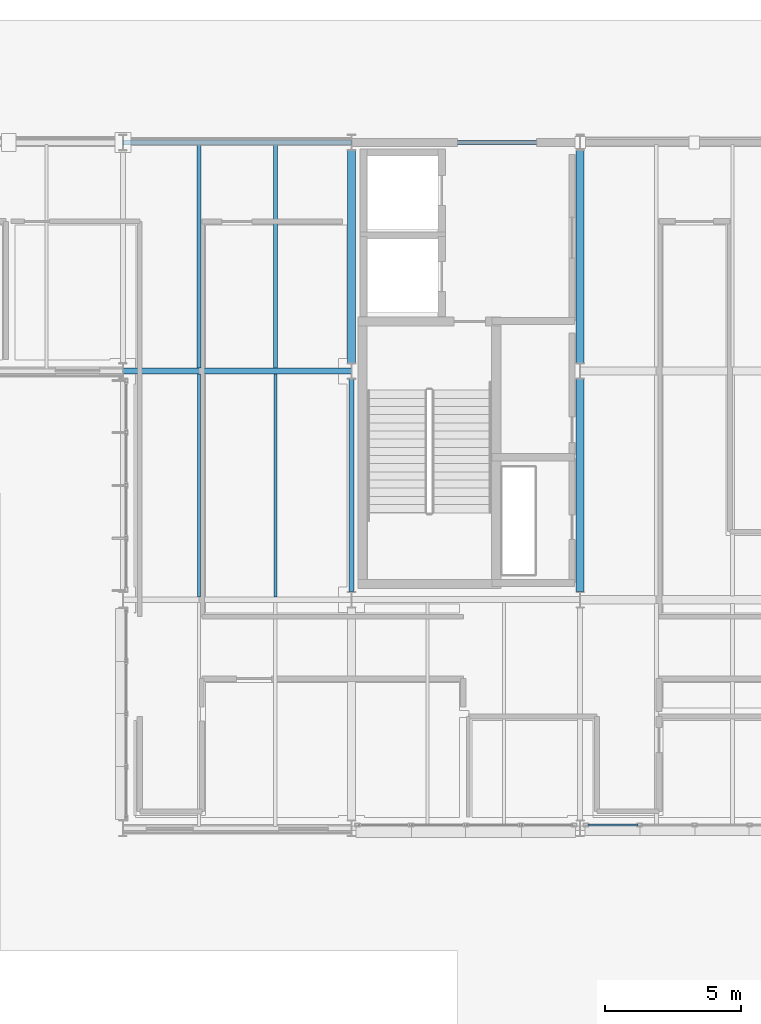
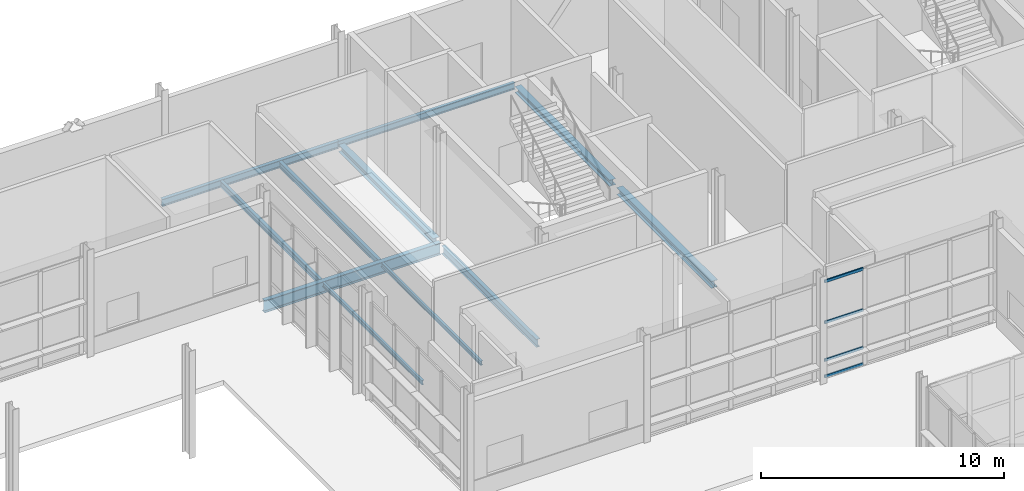
# One storey, part 66 of 124: 11 beams, 4 members, 1 element without a shape of its own.
"""IFC4 building model written with IfcOpenShell, lengths in metres."""

from ifc_helpers import new_model, si_unit, direction, frame, origin, origin_2d, place, context, subcontext, project, spatial, hollow_rectangle, i_section, extrude, material, material_profile, profile_set, type_object, element, aggregate, save


model = new_model("IFC4")

# Units and contexts
model_context = context("Model", 3, precision=1e-05, world=origin(), true_north=direction((0.0, 1.0)))
body_context = subcontext(model_context, "Body", "Model", "MODEL_VIEW")
ifc_project = project(units=[si_unit("LENGTHUNIT", "METRE"), si_unit("AREAUNIT", "SQUARE_METRE"), si_unit("VOLUMEUNIT", "CUBIC_METRE"), si_unit("PLANEANGLEUNIT", "RADIAN"), si_unit("MASSUNIT", "GRAM", prefix="KILO")], contexts=[model_context])

# Site, building, storey
site_placement = place(None, origin())
site = spatial("IfcSite", under=ifc_project, at=site_placement, CompositionType="ELEMENT")
building_placement = place(site_placement, origin())
building = spatial("IfcBuilding", under=site, at=building_placement, Name="Mersafa Astral City Hall", CompositionType="ELEMENT")
storey_placement = place(building_placement, origin())
storey = spatial("IfcBuildingStorey", under=building, at=storey_placement, Name="L00", CompositionType="ELEMENT", Elevation=0.0)

# Curtain wall, members
ifc_material_1 = material(Name="Anodised bronze aluminium framing", Category="aluminium")
curtain_wall_type = type_object("IfcCurtainWallType", Name="ENV-CW-2", PredefinedType="USERDEFINED", material=ifc_material_1)
curtain_wall_placement = place(storey_placement, origin())
curtain_wall = element("IfcCurtainWall", 1, at=curtain_wall_placement, inside=storey, type_object=curtain_wall_type, Name="L00 Unitised solar curtain wall 19", ObjectType="UNITISED CURTAIN WALL", PredefinedType="USERDEFINED")
ifc_material_profile_1 = material_profile(ifc_material_1, hollow_rectangle(XDim=0.06005859375, YDim=0.139892578125, WallThickness=0.00390625, at=origin_2d()), Name="RHS 60x140x4")
ifc_profile_set_1 = profile_set([ifc_material_profile_1], Name="Anodised bronze aluminium framing")
member_type = type_object("IfcMemberType", Name="ENV-CW-TRN-1", PredefinedType="USERDEFINED", material=ifc_profile_set_1)
member_1_placement = place(storey_placement, frame((159.882080078125, 100.919921875, 0.028076171875), z_axis=(1.0, 0.0, 0.0), x_axis=(0.0, 1.0, 0.0)))
member_1 = element("IfcMember", 2, at=member_1_placement, type_object=member_type, Name="CW-2 transom 1.1", ObjectType="TRANSOM", PredefinedType="USERDEFINED", context=body_context, shape_type="SweptSolid", body=[
    extrude(hollow_rectangle(XDim=0.06005859375, YDim=0.139892578125, WallThickness=0.00390625, at=origin_2d()), origin(), (0.0, 0.0, 1.0), 1.8388671875),
])
member_2_placement = place(storey_placement, frame((159.882080078125, 100.919921875, 0.85009765625), z_axis=(1.0, 0.0, 0.0), x_axis=(0.0, 1.0, 0.0)))
member_2 = element("IfcMember", 3, at=member_2_placement, type_object=member_type, Name="CW-2 transom 1.2", ObjectType="TRANSOM", PredefinedType="USERDEFINED", context=body_context, shape_type="SweptSolid", body=[
    extrude(hollow_rectangle(XDim=0.06005859375, YDim=0.139892578125, WallThickness=0.00390625, at=origin_2d()), origin(), (0.0, 0.0, 1.0), 1.8388671875),
])
member_3_placement = place(storey_placement, frame((159.882080078125, 100.919921875, 2.75), z_axis=(1.0, 0.0, 0.0), x_axis=(0.0, 1.0, 0.0)))
member_3 = element("IfcMember", 4, at=member_3_placement, type_object=member_type, Name="CW-2 transom 1.3", ObjectType="TRANSOM", PredefinedType="USERDEFINED", context=body_context, shape_type="SweptSolid", body=[
    extrude(hollow_rectangle(XDim=0.06005859375, YDim=0.139892578125, WallThickness=0.00390625, at=origin_2d()), origin(), (0.0, 0.0, 1.0), 1.8388671875),
])
member_4_placement = place(storey_placement, frame((159.882080078125, 100.919921875, 4.81201171875), z_axis=(1.0, 0.0, 0.0), x_axis=(0.0, 1.0, 0.0)))
member_4 = element("IfcMember", 5, at=member_4_placement, type_object=member_type, Name="CW-2 transom 1.4", ObjectType="TRANSOM", PredefinedType="USERDEFINED", context=body_context, shape_type="SweptSolid", body=[
    extrude(hollow_rectangle(XDim=0.06005859375, YDim=0.139892578125, WallThickness=0.00390625, at=origin_2d()), origin(), (0.0, 0.0, 1.0), 1.8388671875),
])
aggregate(curtain_wall, [member_1, member_2, member_3, member_4])

# Beams
ifc_material_2 = material(Name="Steel S355", Category="steel")
ifc_material_profile_2 = material_profile(ifc_material_2, i_section(OverallWidth=0.300048828125, OverallDepth=0.31005859375, WebThickness=0.009033203125, FlangeThickness=0.015380859375, FilletRadius=0.027099609375, at=origin_2d()), Name="HEA 320")
ifc_profile_set_2 = profile_set([ifc_material_profile_2], Name="Steel S355")
beam_type_1 = type_object("IfcBeamType", Name="STR-BM-HEA320", PredefinedType="BEAM", material=ifc_profile_set_2)
beam_1_placement = place(storey_placement, frame((159.60009765625, 117.89501953125, -0.405029296875), z_axis=(0.0, 1.0, 0.0), x_axis=(-1.0, 0.0, 0.0)))
element("IfcBeam", 6, at=beam_1_placement, inside=storey, type_object=beam_type_1, Name="L00 Primary girder Y 19-14", PredefinedType="BEAM", context=body_context, shape_type="SweptSolid", body=[
    extrude(i_section(OverallWidth=0.300048828125, OverallDepth=0.31005859375, WebThickness=0.009033203125, FlangeThickness=0.015380859375, FilletRadius=0.027099609375, at=origin_2d()), origin(), (0.0, 0.0, 1.0), 7.81005859375),
])
ifc_material_profile_3 = material_profile(ifc_material_2, i_section(OverallWidth=0.300048828125, OverallDepth=0.35009765625, WebThickness=0.010009765625, FlangeThickness=0.017578125, FilletRadius=0.027099609375, at=origin_2d()), Name="HEA 360")
ifc_profile_set_3 = profile_set([ifc_material_profile_3], Name="Steel S355")
beam_type_2 = type_object("IfcBeamType", Name="STR-BM-HEA360", PredefinedType="BEAM", material=ifc_profile_set_3)
beam_2_placement = place(storey_placement, frame((151.199951171875, 117.89501953125, -0.425048828125), z_axis=(0.0, 1.0, 0.0), x_axis=(-1.0, 0.0, 0.0)))
element("IfcBeam", 7, at=beam_2_placement, inside=storey, type_object=beam_type_2, Name="L00 Primary girder Y 18-14", PredefinedType="BEAM", context=body_context, shape_type="SweptSolid", body=[
    extrude(i_section(OverallWidth=0.300048828125, OverallDepth=0.35009765625, WebThickness=0.010009765625, FlangeThickness=0.017578125, FilletRadius=0.027099609375, at=origin_2d()), origin(), (0.0, 0.0, 1.0), 7.81005859375),
])
beam_3_placement = place(storey_placement, frame((159.60009765625, 109.4951171875, -0.425048828125), z_axis=(0.0, 1.0, 0.0), x_axis=(-1.0, 0.0, 0.0)))
element("IfcBeam", 8, at=beam_3_placement, inside=storey, type_object=beam_type_2, Name="L00 Primary girder Y 19-13", PredefinedType="BEAM", context=body_context, shape_type="SweptSolid", body=[
    extrude(i_section(OverallWidth=0.300048828125, OverallDepth=0.35009765625, WebThickness=0.010009765625, FlangeThickness=0.017578125, FilletRadius=0.027099609375, at=origin_2d()), origin(), (0.0, 0.0, 1.0), 7.809814453125),
])
ifc_material_profile_4 = material_profile(ifc_material_2, i_section(OverallWidth=0.179931640625, OverallDepth=0.39990234375, WebThickness=0.008544921875, FlangeThickness=0.013427734375, FilletRadius=0.02099609375, at=origin_2d()), Name="IPE 400")
ifc_profile_set_4 = profile_set([ifc_material_profile_4], Name="Steel S355")
beam_type_3 = type_object("IfcBeamType", Name="STR-BM-IPE400", PredefinedType="BEAM", material=ifc_profile_set_4)
beam_4_placement = place(storey_placement, frame((151.199951171875, 109.4951171875, -0.449951171875), z_axis=(0.0, 1.0, 0.0), x_axis=(-1.0, 0.0, 0.0)))
element("IfcBeam", 9, at=beam_4_placement, inside=storey, type_object=beam_type_3, Name="L00 Primary girder Y 18-13", PredefinedType="BEAM", context=body_context, shape_type="SweptSolid", body=[
    extrude(i_section(OverallWidth=0.179931640625, OverallDepth=0.39990234375, WebThickness=0.008544921875, FlangeThickness=0.013427734375, FilletRadius=0.02099609375, at=origin_2d()), origin(), (0.0, 0.0, 1.0), 7.809814453125),
])
ifc_material_profile_5 = material_profile(ifc_material_2, i_section(OverallWidth=0.219970703125, OverallDepth=0.60009765625, WebThickness=0.011962890625, FlangeThickness=0.01904296875, FilletRadius=0.02392578125, at=origin_2d()), Name="IPE 600")
ifc_profile_set_5 = profile_set([ifc_material_profile_5], Name="Steel S355")
beam_type_4 = type_object("IfcBeamType", Name="STR-BM-IPE600", PredefinedType="BEAM", material=ifc_profile_set_5)
beam_5_placement = place(storey_placement, frame((142.802978515625, 117.60009765625, -0.550048828125), z_axis=(1.0, 0.0, 0.0), x_axis=(0.0, 1.0, 0.0)))
element("IfcBeam", 10, at=beam_5_placement, inside=storey, type_object=beam_type_4, Name="L00 Primary girder X 17-14", PredefinedType="BEAM", context=body_context, shape_type="SweptSolid", body=[
    extrude(i_section(OverallWidth=0.219970703125, OverallDepth=0.60009765625, WebThickness=0.011962890625, FlangeThickness=0.01904296875, FilletRadius=0.02392578125, at=origin_2d()), origin(), (0.0, 0.0, 1.0), 8.39404296875),
])
ifc_material_profile_6 = material_profile(ifc_material_2, i_section(OverallWidth=0.110107421875, OverallDepth=0.219970703125, WebThickness=0.005859375, FlangeThickness=0.00927734375, FilletRadius=0.011962890625, at=origin_2d()), Name="IPE 220")
ifc_profile_set_6 = profile_set([ifc_material_profile_6], Name="Steel S355")
beam_type_5 = type_object("IfcBeamType", Name="STR-BM-JOIST-IPE220", PredefinedType="JOIST", material=ifc_profile_set_6)
for number, where, z_axis, x_axis, name in (
    (11, (145.60009765625, 109.294921875, -0.360107421875), (0.0, 1.0, 0.0), (-1.0, 0.0, 0.0), "L00 Composite secondary floor joist 174"),
    (12, (148.39990234375, 109.294921875, -0.360107421875), (0.0, 1.0, 0.0), (-1.0, 0.0, 0.0), "L00 Composite secondary floor joist 175"),
):
    element("IfcBeam", number, at=place(storey_placement, frame(where, z_axis=z_axis, x_axis=x_axis)), inside=storey, type_object=beam_type_5, Name=name, PredefinedType="JOIST", context=body_context, shape_type="SweptSolid", body=[
        extrude(i_section(OverallWidth=0.110107421875, OverallDepth=0.219970703125, WebThickness=0.005859375, FlangeThickness=0.00927734375, FilletRadius=0.011962890625, at=origin_2d()), origin(), (0.0, 0.0, 1.0), 8.2001953125),
    ])
ifc_material_profile_7 = material_profile(ifc_material_2, i_section(OverallWidth=0.14990234375, OverallDepth=0.300048828125, WebThickness=0.007080078125, FlangeThickness=0.0107421875, FilletRadius=0.014892578125, at=origin_2d()), Name="IPE 300")
ifc_profile_set_7 = profile_set([ifc_material_profile_7], Name="Steel S355")
beam_type_6 = type_object("IfcBeamType", Name="STR-BM-JOIST-IPE300", PredefinedType="JOIST", material=ifc_profile_set_7)
for number, where, z_axis, x_axis, name in (
    (13, (145.60009765625, 117.705078125, -0.39990234375), (0.0, 1.0, 0.0), (-1.0, 0.0, 0.0), "L00 Composite secondary floor joist 176"),
    (14, (148.39990234375, 117.705078125, -0.39990234375), (0.0, 1.0, 0.0), (-1.0, 0.0, 0.0), "L00 Composite secondary floor joist 177"),
):
    element("IfcBeam", number, at=place(storey_placement, frame(where, z_axis=z_axis, x_axis=x_axis)), inside=storey, type_object=beam_type_6, Name=name, PredefinedType="JOIST", context=body_context, shape_type="SweptSolid", body=[
        extrude(i_section(OverallWidth=0.14990234375, OverallDepth=0.300048828125, WebThickness=0.007080078125, FlangeThickness=0.0107421875, FilletRadius=0.014892578125, at=origin_2d()), origin(), (0.0, 0.0, 1.0), 8.21484375),
    ])
ifc_material_profile_8 = material_profile(ifc_material_2, i_section(OverallWidth=0.159912109375, OverallDepth=0.330078125, WebThickness=0.007568359375, FlangeThickness=0.011474609375, FilletRadius=0.01806640625, at=origin_2d()), Name="IPE 330")
ifc_profile_set_8 = profile_set([ifc_material_profile_8], Name="Steel S355")
beam_type_7 = type_object("IfcBeamType", Name="STR-BM-SPANDREL-IPE330", PredefinedType="SPANDREL", material=ifc_profile_set_8)
beam_6_placement = place(storey_placement, frame((151.202880859375, 126.0, -0.4150390625), z_axis=(1.0, 0.0, 0.0), x_axis=(0.0, 1.0, 0.0)))
element("IfcBeam", 15, at=beam_6_placement, inside=storey, type_object=beam_type_7, Name="L00 Primary girder X 18-15", PredefinedType="SPANDREL", context=body_context, shape_type="SweptSolid", body=[
    extrude(i_section(OverallWidth=0.159912109375, OverallDepth=0.330078125, WebThickness=0.007568359375, FlangeThickness=0.011474609375, FilletRadius=0.01806640625, at=origin_2d()), origin(), (0.0, 0.0, 1.0), 8.39404296875),
])
ifc_material_profile_9 = material_profile(ifc_material_2, i_section(OverallWidth=0.169921875, OverallDepth=0.360107421875, WebThickness=0.008056640625, FlangeThickness=0.0126953125, FilletRadius=0.01806640625, at=origin_2d()), Name="IPE 360")
ifc_profile_set_9 = profile_set([ifc_material_profile_9], Name="Steel S355")
beam_type_8 = type_object("IfcBeamType", Name="STR-BM-SPANDREL-IPE360", PredefinedType="SPANDREL", material=ifc_profile_set_9)
beam_7_placement = place(storey_placement, frame((142.802978515625, 126.0, -0.429931640625), z_axis=(1.0, 0.0, 0.0), x_axis=(0.0, 1.0, 0.0)))
element("IfcBeam", 16, at=beam_7_placement, inside=storey, type_object=beam_type_8, Name="L00 Primary girder X 17-15", PredefinedType="SPANDREL", context=body_context, shape_type="SweptSolid", body=[
    extrude(i_section(OverallWidth=0.169921875, OverallDepth=0.360107421875, WebThickness=0.008056640625, FlangeThickness=0.0126953125, FilletRadius=0.01806640625, at=origin_2d()), origin(), (0.0, 0.0, 1.0), 8.39404296875),
])

save(model, "model.ifc")
